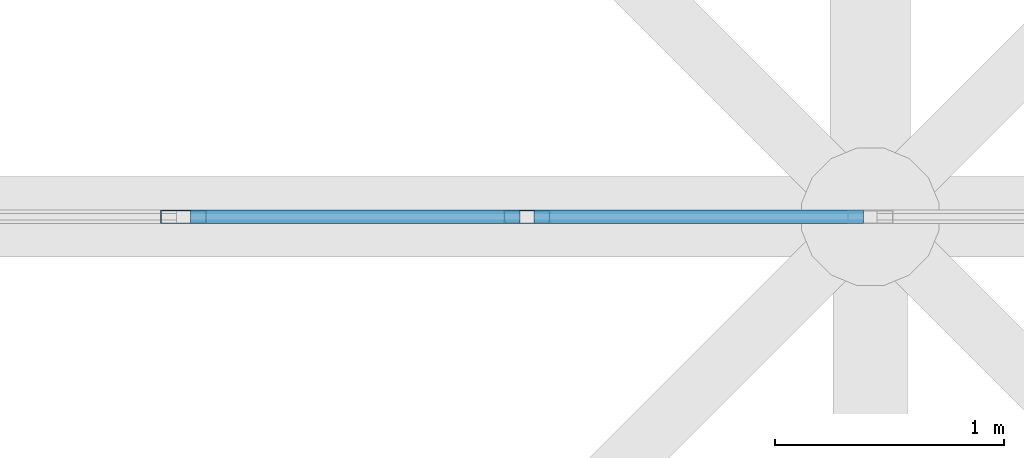
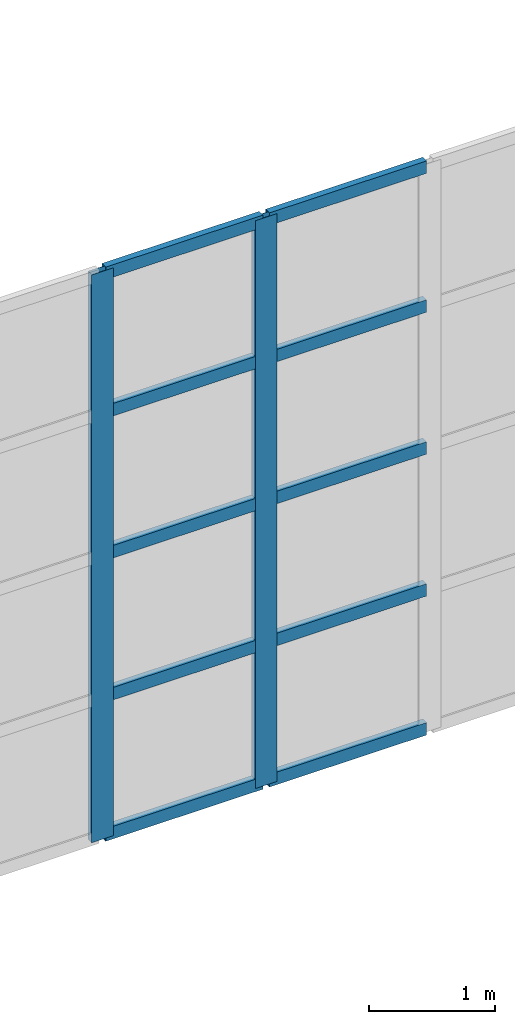
# One storey, part 159 of 437: 12 members, 1 element without a shape of its own.
"""IFC4 building model written with IfcOpenShell, lengths in metres."""

from ifc_helpers import new_model, si_unit, direction, frame, origin, origin_2d, place, context, subcontext, project, spatial, hollow_rectangle, extrude, material, layer, layer_set, material_profile, profile_set, type_object, element, aggregate, save


model = new_model("IFC4")

# Units and contexts
model_context = context("Model", 3, precision=1e-05, world=origin(), true_north=direction((0.0, 1.0)))
body_context = subcontext(model_context, "Body", "Model", "MODEL_VIEW")
ifc_project = project(units=[si_unit("LENGTHUNIT", "METRE"), si_unit("AREAUNIT", "SQUARE_METRE"), si_unit("VOLUMEUNIT", "CUBIC_METRE"), si_unit("PLANEANGLEUNIT", "RADIAN"), si_unit("MASSUNIT", "GRAM", prefix="KILO")], contexts=[model_context])

# Site, building, storey
site_placement = place(None, origin())
site = spatial("IfcSite", under=ifc_project, at=site_placement, CompositionType="ELEMENT")
building_placement = place(site_placement, origin())
building = spatial("IfcBuilding", under=site, at=building_placement, Name="Opaline Strait Convention Centre", CompositionType="ELEMENT")
storey_placement = place(building_placement, frame((0.0, 0.0, 11.5)))
storey = spatial("IfcBuildingStorey", under=building, at=storey_placement, Name="L02", CompositionType="ELEMENT", Elevation=11.5)

# Curtain wall, members
ifc_material_1 = material(Name="Aluminium framed glazing", Category="aluminium")
ifc_layer = layer(ifc_material_1, 0.199951171875)
ifc_layer_set = layer_set([ifc_layer], Name="Aluminium framed glazing")
curtain_wall_type = type_object("IfcCurtainWallType", Name="Entrance curtain wall 1500", PredefinedType="NOTDEFINED", material=ifc_layer_set)
curtain_wall_placement = place(storey_placement, origin())
curtain_wall = element("IfcCurtainWall", 1, at=curtain_wall_placement, inside=storey, type_object=curtain_wall_type, Name="Entrance curtain wall L02-R1", PredefinedType="NOTDEFINED")
ifc_material_2 = material(Name="Aluminium alloy 6063", Category="aluminium")
ifc_material_profile_1 = material_profile(ifc_material_2, hollow_rectangle(XDim=0.06005859375, YDim=0.199951171875, WallThickness=0.00390625, at=origin_2d()), Name="MULLION 60x200x4")
ifc_profile_set_1 = profile_set([ifc_material_profile_1], Name="Aluminium alloy 6063")
member_type_1 = type_object("IfcMemberType", Name="Curtain wall mullion 60 x 200", PredefinedType="MULLION", material=ifc_profile_set_1)
member_1_placement = place(storey_placement, frame((159.0, 144.0, 0.0), z_axis=(0.0, 0.0, 1.0), x_axis=(0.0, 1.0, 0.0)))
member_1 = element("IfcMember", 2, at=member_1_placement, type_object=member_type_1, Name="XCW mullion 5", PredefinedType="MULLION", context=body_context, shape_type="SweptSolid", body=[
    extrude(hollow_rectangle(XDim=0.06005859375, YDim=0.199951171875, WallThickness=0.00390625, at=origin_2d()), origin(), (0.0, 0.0, 1.0), 5.5),
])
member_2_placement = place(storey_placement, frame((160.5, 144.0, 0.0), z_axis=(0.0, 0.0, 1.0), x_axis=(0.0, 1.0, 0.0)))
member_2 = element("IfcMember", 3, at=member_2_placement, type_object=member_type_1, Name="XCW mullion 6", PredefinedType="MULLION", context=body_context, shape_type="SweptSolid", body=[
    extrude(hollow_rectangle(XDim=0.06005859375, YDim=0.199951171875, WallThickness=0.00390625, at=origin_2d()), origin(), (0.0, 0.0, 1.0), 5.5),
])
ifc_material_profile_2 = material_profile(ifc_material_2, hollow_rectangle(XDim=0.06005859375, YDim=0.1201171875, WallThickness=0.0029296875, at=origin_2d()), Name="TRANSOM 60x120x3")
ifc_profile_set_2 = profile_set([ifc_material_profile_2], Name="Aluminium alloy 6063")
member_type_2 = type_object("IfcMemberType", Name="Curtain wall transom 60 x 120", PredefinedType="USERDEFINED", material=ifc_profile_set_2)
member_3_placement = place(storey_placement, frame((159.030029296875, 144.0, 0.030029296875), z_axis=(1.0, 0.0, 0.0), x_axis=(0.0, 1.0, 0.0)))
member_3 = element("IfcMember", 4, at=member_3_placement, type_object=member_type_2, Name="XCW transom 5.1", ObjectType="TRANSOM", PredefinedType="USERDEFINED", context=body_context, shape_type="SweptSolid", body=[
    extrude(hollow_rectangle(XDim=0.06005859375, YDim=0.1201171875, WallThickness=0.0029296875, at=origin_2d()), origin(), (0.0, 0.0, 1.0), 1.43994140625),
])
member_4_placement = place(storey_placement, frame((159.030029296875, 144.0, 1.375), z_axis=(1.0, 0.0, 0.0), x_axis=(0.0, 1.0, 0.0)))
member_4 = element("IfcMember", 5, at=member_4_placement, type_object=member_type_2, Name="XCW transom 5.2", ObjectType="TRANSOM", PredefinedType="USERDEFINED", context=body_context, shape_type="SweptSolid", body=[
    extrude(hollow_rectangle(XDim=0.06005859375, YDim=0.1201171875, WallThickness=0.0029296875, at=origin_2d()), origin(), (0.0, 0.0, 1.0), 1.43994140625),
])
member_5_placement = place(storey_placement, frame((159.030029296875, 144.0, 2.75), z_axis=(1.0, 0.0, 0.0), x_axis=(0.0, 1.0, 0.0)))
member_5 = element("IfcMember", 6, at=member_5_placement, type_object=member_type_2, Name="XCW transom 5.3", ObjectType="TRANSOM", PredefinedType="USERDEFINED", context=body_context, shape_type="SweptSolid", body=[
    extrude(hollow_rectangle(XDim=0.06005859375, YDim=0.1201171875, WallThickness=0.0029296875, at=origin_2d()), origin(), (0.0, 0.0, 1.0), 1.43994140625),
])
member_6_placement = place(storey_placement, frame((159.030029296875, 144.0, 4.125), z_axis=(1.0, 0.0, 0.0), x_axis=(0.0, 1.0, 0.0)))
member_6 = element("IfcMember", 7, at=member_6_placement, type_object=member_type_2, Name="XCW transom 5.4", ObjectType="TRANSOM", PredefinedType="USERDEFINED", context=body_context, shape_type="SweptSolid", body=[
    extrude(hollow_rectangle(XDim=0.06005859375, YDim=0.1201171875, WallThickness=0.0029296875, at=origin_2d()), origin(), (0.0, 0.0, 1.0), 1.43994140625),
])
member_7_placement = place(storey_placement, frame((159.030029296875, 144.0, 5.469970703125), z_axis=(1.0, 0.0, 0.0), x_axis=(0.0, 1.0, 0.0)))
member_7 = element("IfcMember", 8, at=member_7_placement, type_object=member_type_2, Name="XCW transom 5.5", ObjectType="TRANSOM", PredefinedType="USERDEFINED", context=body_context, shape_type="SweptSolid", body=[
    extrude(hollow_rectangle(XDim=0.06005859375, YDim=0.1201171875, WallThickness=0.0029296875, at=origin_2d()), origin(), (0.0, 0.0, 1.0), 1.43994140625),
])
member_8_placement = place(storey_placement, frame((160.530029296875, 144.0, 0.030029296875), z_axis=(1.0, 0.0, 0.0), x_axis=(0.0, 1.0, 0.0)))
member_8 = element("IfcMember", 9, at=member_8_placement, type_object=member_type_2, Name="XCW transom 6.1", ObjectType="TRANSOM", PredefinedType="USERDEFINED", context=body_context, shape_type="SweptSolid", body=[
    extrude(hollow_rectangle(XDim=0.06005859375, YDim=0.1201171875, WallThickness=0.0029296875, at=origin_2d()), origin(), (0.0, 0.0, 1.0), 1.43994140625),
])
member_9_placement = place(storey_placement, frame((160.530029296875, 144.0, 1.375), z_axis=(1.0, 0.0, 0.0), x_axis=(0.0, 1.0, 0.0)))
member_9 = element("IfcMember", 10, at=member_9_placement, type_object=member_type_2, Name="XCW transom 6.2", ObjectType="TRANSOM", PredefinedType="USERDEFINED", context=body_context, shape_type="SweptSolid", body=[
    extrude(hollow_rectangle(XDim=0.06005859375, YDim=0.1201171875, WallThickness=0.0029296875, at=origin_2d()), origin(), (0.0, 0.0, 1.0), 1.43994140625),
])
member_10_placement = place(storey_placement, frame((160.530029296875, 144.0, 2.75), z_axis=(1.0, 0.0, 0.0), x_axis=(0.0, 1.0, 0.0)))
member_10 = element("IfcMember", 11, at=member_10_placement, type_object=member_type_2, Name="XCW transom 6.3", ObjectType="TRANSOM", PredefinedType="USERDEFINED", context=body_context, shape_type="SweptSolid", body=[
    extrude(hollow_rectangle(XDim=0.06005859375, YDim=0.1201171875, WallThickness=0.0029296875, at=origin_2d()), origin(), (0.0, 0.0, 1.0), 1.43994140625),
])
member_11_placement = place(storey_placement, frame((160.530029296875, 144.0, 4.125), z_axis=(1.0, 0.0, 0.0), x_axis=(0.0, 1.0, 0.0)))
member_11 = element("IfcMember", 12, at=member_11_placement, type_object=member_type_2, Name="XCW transom 6.4", ObjectType="TRANSOM", PredefinedType="USERDEFINED", context=body_context, shape_type="SweptSolid", body=[
    extrude(hollow_rectangle(XDim=0.06005859375, YDim=0.1201171875, WallThickness=0.0029296875, at=origin_2d()), origin(), (0.0, 0.0, 1.0), 1.43994140625),
])
member_12_placement = place(storey_placement, frame((160.530029296875, 144.0, 5.469970703125), z_axis=(1.0, 0.0, 0.0), x_axis=(0.0, 1.0, 0.0)))
member_12 = element("IfcMember", 13, at=member_12_placement, type_object=member_type_2, Name="XCW transom 6.5", ObjectType="TRANSOM", PredefinedType="USERDEFINED", context=body_context, shape_type="SweptSolid", body=[
    extrude(hollow_rectangle(XDim=0.06005859375, YDim=0.1201171875, WallThickness=0.0029296875, at=origin_2d()), origin(), (0.0, 0.0, 1.0), 1.43994140625),
])
aggregate(curtain_wall, [member_1, member_2, member_3, member_4, member_5, member_6, member_7, member_8, member_9, member_10, member_11, member_12])

save(model, "model.ifc")
